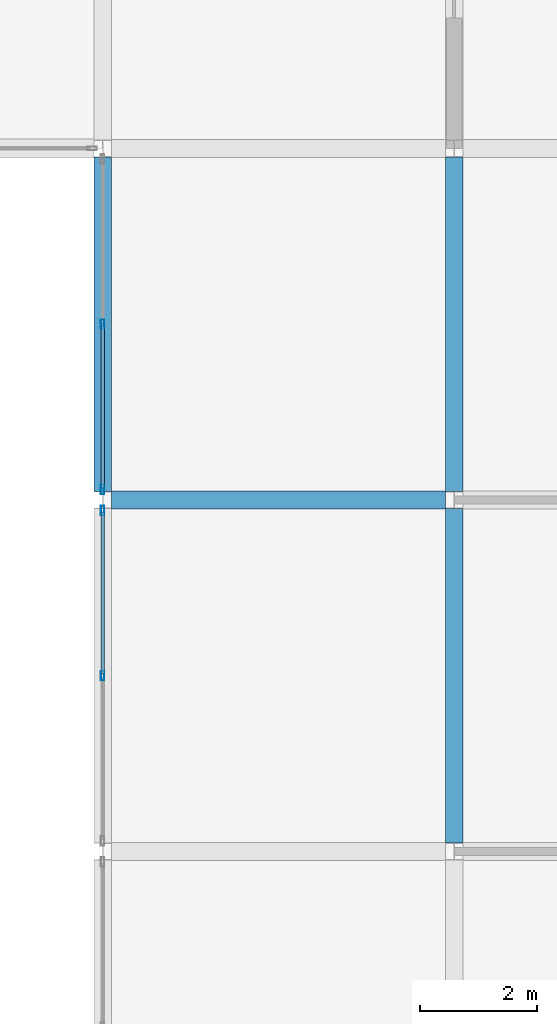
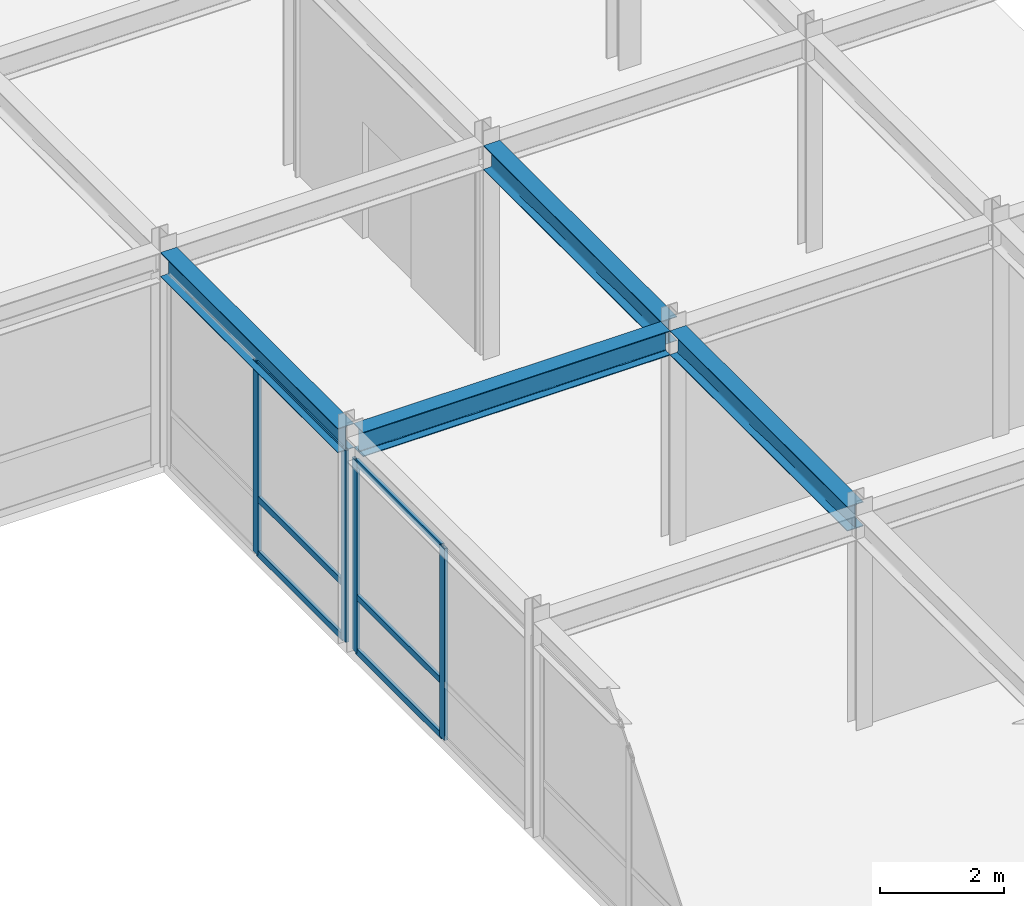
# One storey, part 50 of 108: 10 members, 4 beams, 2 elements without a shape of their own.
"""IFC4 building model written with IfcOpenShell, lengths in metres."""

import ifcopenshell
import ifcopenshell.guid

model = None  # the IFC model being written
_history = None  # IfcOwnerHistory: only IFC2X3 demands one
_inside = {}  # id of a spatial element -> (the spatial element, [elements in it])
_under = {}  # id of a project, library or spatial element -> (it, [spatial elements below it])
_declared = {}  # id of a project -> (the project, [libraries it declares])
_typed = {}  # id of a type object -> (the type object, [elements of that type])
_made_of = {}  # id of a material, layer set ... -> (it, [elements and type objects made of it])


def new_model(schema):
    """Start an empty IFC model of exactly this schema.

    Asked for "IFC4X3", IfcOpenShell would pick the latest addendum, in which some entities
    have other attributes; the version numbers below select the first issue.
    IFC2X3 requires an IfcOwnerHistory on every rooted entity: one is made here for all.
    """
    global model, _history
    if schema == "IFC4X3":
        model = ifcopenshell.file(schema_version=(4, 3, 0, 0))
    else:
        model = ifcopenshell.file(schema=schema)
    _inside.clear()
    _under.clear()
    _declared.clear()
    _typed.clear()
    _made_of.clear()
    _history = None
    if model.schema == "IFC2X3":
        org = make("IfcOrganization", Name="unknown")
        user = make(
            "IfcPersonAndOrganization",
            ThePerson=make("IfcPerson", FamilyName="unknown"),
            TheOrganization=org,
        )
        app = make(
            "IfcApplication",
            ApplicationDeveloper=org,
            Version="unknown",
            ApplicationFullName="unknown",
            ApplicationIdentifier="unknown",
        )
        _history = make(
            "IfcOwnerHistory",
            OwningUser=user,
            OwningApplication=app,
            ChangeAction="ADDED",
            CreationDate=0,
        )
    return model


def make(cls, **values):
    """One entity of the class cls with the attributes given. An attribute that is None is left unset."""
    return model.create_entity(
        cls, **{name: value for name, value in values.items() if value is not None}
    )


def rooted(cls, **values):
    """An entity with a GlobalId (a new one), such as an element, a storey or a relation."""
    return make(cls, GlobalId=ifcopenshell.guid.new(), OwnerHistory=_history, **values)


def si_unit(unit_type, name, prefix=None):
    """IfcSIUnit, for example si_unit("LENGTHUNIT", "METRE", prefix="MILLI")."""
    return make("IfcSIUnit", UnitType=unit_type, Prefix=prefix, Name=name)


def assignment(units):
    """IfcUnitAssignment: the units of a project."""
    return None if units is None else make("IfcUnitAssignment", Units=units)


def point(xyz):
    """IfcCartesianPoint."""
    return None if xyz is None else make("IfcCartesianPoint", Coordinates=xyz)


def direction(xyz):
    """IfcDirection."""
    return None if xyz is None else make("IfcDirection", DirectionRatios=xyz)


def frame(location, z_axis=None, x_axis=None):
    """IfcAxis2Placement3D, a coordinate frame: its origin and axes. An axis left out is left unset."""
    return make(
        "IfcAxis2Placement3D",
        Location=point(location),
        Axis=direction(z_axis),
        RefDirection=direction(x_axis),
    )


def frame_2d(location, x_axis=None):
    """IfcAxis2Placement2D, a coordinate frame in the plane: its origin and x axis."""
    return make(
        "IfcAxis2Placement2D", Location=point(location), RefDirection=direction(x_axis)
    )


def origin():
    """The frame at (0, 0, 0) with its axes left unset."""
    return frame((0.0, 0.0, 0.0))


def origin_2d():
    """The frame at (0, 0) in the plane with its x axis left unset."""
    return frame_2d((0.0, 0.0))


def place(relative_to, where):
    """IfcLocalPlacement: puts the frame where relative to a parent placement (None: the world)."""
    return make(
        "IfcLocalPlacement", PlacementRelTo=relative_to, RelativePlacement=where
    )


def context(
    kind, dimensions, precision=None, world=None, true_north=None, identifier=None
):
    """IfcGeometricRepresentationContext, for example the 3D "Model" context."""
    return make(
        "IfcGeometricRepresentationContext",
        ContextIdentifier=identifier,
        ContextType=kind,
        CoordinateSpaceDimension=dimensions,
        Precision=precision,
        WorldCoordinateSystem=world,
        TrueNorth=true_north,
    )


def subcontext(parent, identifier, kind, view, scale=None):
    """IfcGeometricRepresentationSubContext, for example "Body" below "Model"."""
    return make(
        "IfcGeometricRepresentationSubContext",
        ContextIdentifier=identifier,
        ContextType=kind,
        ParentContext=parent,
        TargetScale=scale,
        TargetView=view,
    )


def project(units=None, contexts=None):
    """IfcProject with its units and contexts."""
    return rooted(
        "IfcProject",
        Name="project",
        RepresentationContexts=contexts,
        UnitsInContext=assignment(units),
    )


def spatial(cls, under=None, at=None, **own):
    """A site, building, storey or space (cls), placed at a placement, below another one or the project."""
    s = rooted(cls, ObjectPlacement=at, **own)
    if under is not None:
        _under.setdefault(under.id(), (under, []))[1].append(s)
    return s


def profile(cls, at=None, kind="AREA", **sizes):
    """A parametric profile (cls). Its sizes go by their IFC names, for example OverallWidth=200.0."""
    return make(cls, ProfileType=kind, Position=at, **sizes)


def hollow_rectangle(**sizes):
    """IfcRectangleHollowProfileDef."""
    return profile("IfcRectangleHollowProfileDef", **sizes)


def i_section(**sizes):
    """IfcIShapeProfileDef."""
    return profile("IfcIShapeProfileDef", **sizes)


def extrude(swept, where, along, depth):
    """IfcExtrudedAreaSolid: the profile swept, set in the frame where, extruded along a direction by depth."""
    return make(
        "IfcExtrudedAreaSolid",
        SweptArea=swept,
        Position=where,
        ExtrudedDirection=direction(along),
        Depth=depth,
    )


def shape(context_of_items, identifier, shape_type, items):
    """IfcShapeRepresentation: the items that make up one representation, for example the "Body"."""
    return make(
        "IfcShapeRepresentation",
        ContextOfItems=context_of_items,
        RepresentationIdentifier=identifier,
        RepresentationType=shape_type,
        Items=items,
    )


def material(Name=None, Category=None):
    """IfcMaterial."""
    return make("IfcMaterial", Name=Name, Category=Category)


def layer(
    of_material, thickness, ventilated=None, Name=None, Category=None, Priority=None
):
    """IfcMaterialLayer: one layer of a wall or slab, of a material (None: an air gap)."""
    return make(
        "IfcMaterialLayer",
        Material=of_material,
        LayerThickness=thickness,
        IsVentilated=ventilated,
        Name=Name,
        Category=Category,
        Priority=Priority,
    )


def layer_set(layers, Name=None):
    """IfcMaterialLayerSet."""
    return make("IfcMaterialLayerSet", MaterialLayers=layers, LayerSetName=Name)


def material_profile(
    of_material, cross_section, Name=None, Category=None, Priority=None
):
    """IfcMaterialProfile: a cross section and its material."""
    return make(
        "IfcMaterialProfile",
        Name=Name,
        Material=of_material,
        Profile=cross_section,
        Priority=Priority,
        Category=Category,
    )


def profile_set(profiles, Name=None, composite=None):
    """IfcMaterialProfileSet."""
    return make(
        "IfcMaterialProfileSet",
        Name=Name,
        MaterialProfiles=profiles,
        CompositeProfile=composite,
    )


def made_of(thing, what):
    """Note that an element or type object is made of a material, layer set ...; save() writes the relation."""
    if what is not None:
        _made_of.setdefault(what.id(), (what, []))[1].append(thing)
    return thing


def type_object(cls, material=None, **own):
    """A type object (cls), such as IfcWallType, which elements share."""
    return made_of(rooted(cls, **own), material)


def element(
    cls,
    number,
    at=None,
    inside=None,
    cuts=None,
    type_object=None,
    material=None,
    context=None,
    identifier="Body",
    shape_type=None,
    held_by="IfcProductDefinitionShape",
    body=None,
    shapes=None,
    **own,
):
    """One element of the class cls, such as IfcWall. Its Tag is "e" and its number.

    at: its placement. inside: the storey or other place that contains it. cuts: it is an
    opening in that element (IfcRelVoidsElement). A single representation is given by context,
    identifier, shape_type and body (its items); several are given by shapes. held_by: the class
    of the entity that holds the representations. save() writes the other relations.
    """
    e = rooted(cls, Tag="e%d" % number, ObjectPlacement=at, **own)
    if body is not None:
        shapes = [shape(context, identifier, shape_type, body)]
    if shapes is not None:
        e.Representation = make(held_by, Representations=shapes)
    if inside is not None:
        _inside.setdefault(inside.id(), (inside, []))[1].append(e)
    if cuts is not None:
        rooted(
            "IfcRelVoidsElement", RelatingBuildingElement=cuts, RelatedOpeningElement=e
        )
    if type_object is not None:
        _typed.setdefault(type_object.id(), (type_object, []))[1].append(e)
    return made_of(e, material)


def aggregate(whole, parts):
    """IfcRelAggregates: a whole, such as a stair, and the parts it consists of."""
    return rooted("IfcRelAggregates", RelatingObject=whole, RelatedObjects=parts)


def save(model, path):
    """Write the relations noted so far, then the file.

    IfcRelAggregates (storeys below a building ...), IfcRelContainedInSpatialStructure (elements
    in a storey), IfcRelDefinesByType, IfcRelAssociatesMaterial and IfcRelDeclares: one each for
    every whole, place, type object, material and project.
    """
    for whole, parts in _under.values():
        aggregate(whole, parts)
    for where, things in _inside.values():
        rooted(
            "IfcRelContainedInSpatialStructure",
            RelatedElements=things,
            RelatingStructure=where,
        )
    for kind, things in _typed.values():
        rooted("IfcRelDefinesByType", RelatedObjects=things, RelatingType=kind)
    for what, things in _made_of.values():
        rooted("IfcRelAssociatesMaterial", RelatedObjects=things, RelatingMaterial=what)
    for by, libraries in _declared.values():
        rooted("IfcRelDeclares", RelatingContext=by, RelatedDefinitions=libraries)
    model.write(path)


model = new_model("IFC4")

# Units and contexts
model_context = context("Model", 3, precision=1e-05, world=origin(), true_north=direction((0.0, 1.0)))
body_context = subcontext(model_context, "Body", "Model", "MODEL_VIEW")
ifc_project = project(units=[si_unit("LENGTHUNIT", "METRE"), si_unit("AREAUNIT", "SQUARE_METRE"), si_unit("VOLUMEUNIT", "CUBIC_METRE"), si_unit("PLANEANGLEUNIT", "RADIAN"), si_unit("MASSUNIT", "GRAM", prefix="KILO")], contexts=[model_context])

# Site, building, storey
site_placement = place(None, origin())
site = spatial("IfcSite", under=ifc_project, at=site_placement, CompositionType="ELEMENT")
building_placement = place(site_placement, origin())
building = spatial("IfcBuilding", under=site, at=building_placement, Name="Zlatovratsky Civic Hall", CompositionType="ELEMENT")
storey_placement = place(building_placement, frame((0.0, 0.0, 12.0)))
storey = spatial("IfcBuildingStorey", under=building, at=storey_placement, Name="L03", CompositionType="ELEMENT", Elevation=12.0)

# Beams
ifc_material_1 = material(Name="Steel S355", Category="steel")
ifc_material_profile_1 = material_profile(ifc_material_1, i_section(OverallWidth=0.300048828125, OverallDepth=0.48193359375, WebThickness=0.010986328125, FlangeThickness=0.014892578125, FilletRadius=0.02392578125, at=origin_2d()), Name="50Sh1")
ifc_profile_set_1 = profile_set([ifc_material_profile_1], Name="Steel S355")
beam_type = type_object("IfcBeamType", Name="Beam_LibraryGirder_50Sh1", PredefinedType="BEAM", material=ifc_profile_set_1)
beam_placement = place(storey_placement, frame((48.1494140625, 60.0, 3.97900390625), z_axis=(1.0, 0.0, 0.0), x_axis=(0.0, 1.0, 0.0)))
element("IfcBeam", 1, at=beam_placement, inside=storey, type_object=beam_type, Name="BM-2597", PredefinedType="BEAM", context=body_context, shape_type="SweptSolid", body=[
    extrude(i_section(OverallWidth=0.300048828125, OverallDepth=0.48193359375, WebThickness=0.010986328125, FlangeThickness=0.014892578125, FilletRadius=0.02392578125, at=origin_2d()), origin(), (0.0, 0.0, 1.0), 5.701171875),
])
for number, where, z_axis, x_axis, name in (
    (2, (48.0, 60.14794921875, 3.97900390625), (0.0, 1.0, 0.0), (-1.0, 0.0, 0.0), "BM-2874"),
    (3, (54.0, 54.14794921875, 3.97900390625), (0.0, 1.0, 0.0), (-1.0, 0.0, 0.0), "BM-2890"),
    (4, (54.0, 60.14794921875, 3.97900390625), (0.0, 1.0, 0.0), (-1.0, 0.0, 0.0), "BM-2891"),
):
    element("IfcBeam", number, at=place(storey_placement, frame(where, z_axis=z_axis, x_axis=x_axis)), inside=storey, type_object=beam_type, Name=name, PredefinedType="BEAM", context=body_context, shape_type="SweptSolid", body=[
        extrude(i_section(OverallWidth=0.300048828125, OverallDepth=0.48193359375, WebThickness=0.010986328125, FlangeThickness=0.014892578125, FilletRadius=0.02392578125, at=origin_2d()), origin(), (0.0, 0.0, 1.0), 5.7041015625),
    ])

# Curtain wall, members
ifc_material_2 = material(Name="Anodised bronze aluminium", Category="aluminium")
ifc_layer = layer(ifc_material_2, 0.159912109375)
ifc_layer_set = layer_set([ifc_layer], Name="Anodised bronze aluminium")
curtain_wall_type = type_object("IfcCurtainWallType", Name="CurtainWall_Bronze_5700x3770_12", PredefinedType="NOTDEFINED", material=ifc_layer_set)
curtain_wall_1_placement = place(storey_placement, origin())
curtain_wall_1 = element("IfcCurtainWall", 5, at=curtain_wall_1_placement, inside=storey, type_object=curtain_wall_type, Name="CW-067", PredefinedType="NOTDEFINED")
ifc_material_profile_2 = material_profile(ifc_material_2, hollow_rectangle(XDim=0.06005859375, YDim=0.159912109375, WallThickness=0.00390625, at=origin_2d()), Name="ALU 60x160x4")
ifc_profile_set_2 = profile_set([ifc_material_profile_2], Name="Anodised bronze aluminium")
member_type_1 = type_object("IfcMemberType", Name="CW_Mullion_60x160", PredefinedType="MULLION", material=ifc_profile_set_2)
member_1_placement = place(storey_placement, frame((48.0, 57.0, 0.0), z_axis=(0.0, 0.0, 1.0), x_axis=(-1.0, 0.0, 0.0)))
member_1 = element("IfcMember", 6, at=member_1_placement, type_object=member_type_1, Name="CW-12 mullion 2", PredefinedType="MULLION", context=body_context, shape_type="SweptSolid", body=[
    extrude(hollow_rectangle(XDim=0.06005859375, YDim=0.159912109375, WallThickness=0.00390625, at=origin_2d()), origin(), (0.0, 0.0, 1.0), 3.77001953125),
])
member_2_placement = place(storey_placement, frame((48.0, 59.822021484375, 0.0), z_axis=(0.0, 0.0, 1.0), x_axis=(-1.0, 0.0, 0.0)))
member_2 = element("IfcMember", 7, at=member_2_placement, type_object=member_type_1, Name="CW-12 mullion 3", PredefinedType="MULLION", context=body_context, shape_type="SweptSolid", body=[
    extrude(hollow_rectangle(XDim=0.06005859375, YDim=0.159912109375, WallThickness=0.00390625, at=origin_2d()), origin(), (0.0, 0.0, 1.0), 3.77001953125),
])

curtain_wall_2_placement = place(storey_placement, origin())
curtain_wall_2 = element("IfcCurtainWall", 8, at=curtain_wall_2_placement, inside=storey, type_object=curtain_wall_type, Name="CW-068", PredefinedType="NOTDEFINED")
member_3_placement = place(storey_placement, frame((48.0, 60.177978515625, 0.0), z_axis=(0.0, 0.0, 1.0), x_axis=(-1.0, 0.0, 0.0)))
member_3 = element("IfcMember", 9, at=member_3_placement, type_object=member_type_1, Name="CW-12 mullion 1", PredefinedType="MULLION", context=body_context, shape_type="SweptSolid", body=[
    extrude(hollow_rectangle(XDim=0.06005859375, YDim=0.159912109375, WallThickness=0.00390625, at=origin_2d()), origin(), (0.0, 0.0, 1.0), 3.77001953125),
])
member_4_placement = place(storey_placement, frame((48.0, 63.0, 0.0), z_axis=(0.0, 0.0, 1.0), x_axis=(-1.0, 0.0, 0.0)))
member_4 = element("IfcMember", 10, at=member_4_placement, type_object=member_type_1, Name="CW-12 mullion 2", PredefinedType="MULLION", context=body_context, shape_type="SweptSolid", body=[
    extrude(hollow_rectangle(XDim=0.06005859375, YDim=0.159912109375, WallThickness=0.00390625, at=origin_2d()), origin(), (0.0, 0.0, 1.0), 3.77001953125),
])

# Member
ifc_material_profile_3 = material_profile(ifc_material_2, hollow_rectangle(XDim=0.06005859375, YDim=0.1201171875, WallThickness=0.00390625, at=origin_2d()), Name="ALU 60x120x4")
ifc_profile_set_3 = profile_set([ifc_material_profile_3], Name="Anodised bronze aluminium")
member_type_2 = type_object("IfcMemberType", Name="CW_Transom_60x120", PredefinedType="USERDEFINED", material=ifc_profile_set_3)
member_5_placement = place(storey_placement, frame((48.0, 57.030029296875, 0.030029296875), z_axis=(0.0, 1.0, 0.0), x_axis=(-1.0, 0.0, 0.0)))
member_5 = element("IfcMember", 11, at=member_5_placement, type_object=member_type_2, Name="CW-12 transom 2.1", ObjectType="TRANSOM", PredefinedType="USERDEFINED", context=body_context, shape_type="SweptSolid", body=[
    extrude(hollow_rectangle(XDim=0.06005859375, YDim=0.1201171875, WallThickness=0.00390625, at=origin_2d()), origin(), (0.0, 0.0, 1.0), 2.761962890625),
])

member_6_placement = place(storey_placement, frame((48.0, 57.030029296875, 1.10009765625), z_axis=(0.0, 1.0, 0.0), x_axis=(-1.0, 0.0, 0.0)))
member_6 = element("IfcMember", 12, at=member_6_placement, type_object=member_type_2, Name="CW-12 transom 2.2", ObjectType="TRANSOM", PredefinedType="USERDEFINED", context=body_context, shape_type="SweptSolid", body=[
    extrude(hollow_rectangle(XDim=0.06005859375, YDim=0.1201171875, WallThickness=0.00390625, at=origin_2d()), origin(), (0.0, 0.0, 1.0), 2.761962890625),
])

member_7_placement = place(storey_placement, frame((48.0, 57.030029296875, 3.739990234375), z_axis=(0.0, 1.0, 0.0), x_axis=(-1.0, 0.0, 0.0)))
member_7 = element("IfcMember", 13, at=member_7_placement, type_object=member_type_2, Name="CW-12 transom 2.3", ObjectType="TRANSOM", PredefinedType="USERDEFINED", context=body_context, shape_type="SweptSolid", body=[
    extrude(hollow_rectangle(XDim=0.06005859375, YDim=0.1201171875, WallThickness=0.00390625, at=origin_2d()), origin(), (0.0, 0.0, 1.0), 2.761962890625),
])

aggregate(curtain_wall_1, [member_1, member_2, member_5, member_6, member_7])

member_8_placement = place(storey_placement, frame((48.0, 60.2080078125, 0.030029296875), z_axis=(0.0, 1.0, 0.0), x_axis=(-1.0, 0.0, 0.0)))
member_8 = element("IfcMember", 14, at=member_8_placement, type_object=member_type_2, Name="CW-12 transom 1.1", ObjectType="TRANSOM", PredefinedType="USERDEFINED", context=body_context, shape_type="SweptSolid", body=[
    extrude(hollow_rectangle(XDim=0.06005859375, YDim=0.1201171875, WallThickness=0.00390625, at=origin_2d()), origin(), (0.0, 0.0, 1.0), 2.761962890625),
])

member_9_placement = place(storey_placement, frame((48.0, 60.2080078125, 1.10009765625), z_axis=(0.0, 1.0, 0.0), x_axis=(-1.0, 0.0, 0.0)))
member_9 = element("IfcMember", 15, at=member_9_placement, type_object=member_type_2, Name="CW-12 transom 1.2", ObjectType="TRANSOM", PredefinedType="USERDEFINED", context=body_context, shape_type="SweptSolid", body=[
    extrude(hollow_rectangle(XDim=0.06005859375, YDim=0.1201171875, WallThickness=0.00390625, at=origin_2d()), origin(), (0.0, 0.0, 1.0), 2.761962890625),
])

member_10_placement = place(storey_placement, frame((48.0, 60.2080078125, 3.739990234375), z_axis=(0.0, 1.0, 0.0), x_axis=(-1.0, 0.0, 0.0)))
member_10 = element("IfcMember", 16, at=member_10_placement, type_object=member_type_2, Name="CW-12 transom 1.3", ObjectType="TRANSOM", PredefinedType="USERDEFINED", context=body_context, shape_type="SweptSolid", body=[
    extrude(hollow_rectangle(XDim=0.06005859375, YDim=0.1201171875, WallThickness=0.00390625, at=origin_2d()), origin(), (0.0, 0.0, 1.0), 2.761962890625),
])

aggregate(curtain_wall_2, [member_3, member_4, member_8, member_9, member_10])

save(model, "model.ifc")
